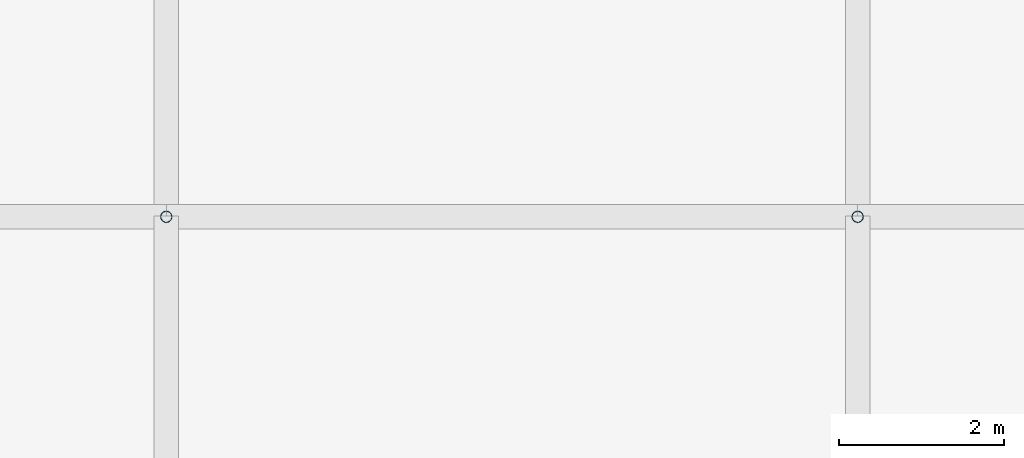
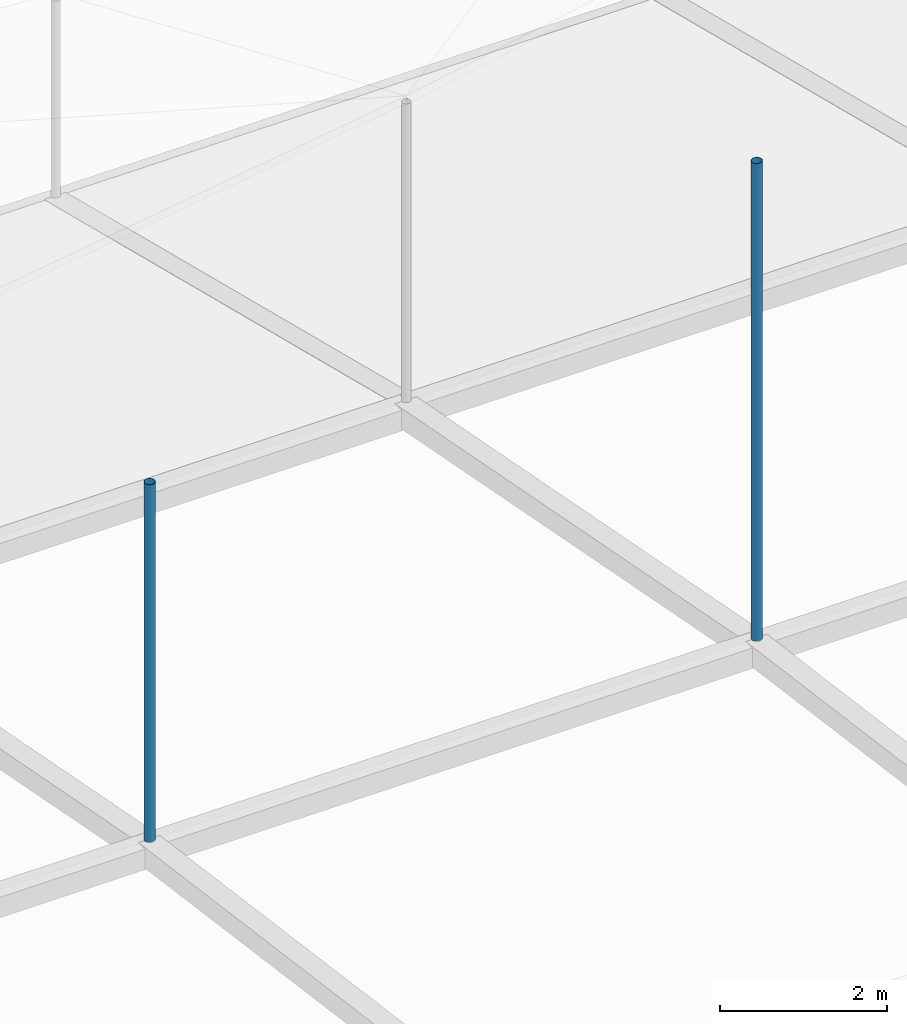
# One storey, part 58 of 111: 2 discrete accessories.
"""IFC4 building model written with IfcOpenShell, lengths in metres."""

from ifc_helpers import new_model, si_unit, direction, frame, origin, origin_2d, place, context, subcontext, project, spatial, hollow_circle, extrude, material, material_profile, profile_set, type_object, element, save


model = new_model("IFC4")

# Units and contexts
model_context = context("Model", 3, precision=1e-05, world=origin(), true_north=direction((0.0, 1.0)))
body_context = subcontext(model_context, "Body", "Model", "MODEL_VIEW")
ifc_project = project(units=[si_unit("LENGTHUNIT", "METRE"), si_unit("AREAUNIT", "SQUARE_METRE"), si_unit("VOLUMEUNIT", "CUBIC_METRE"), si_unit("PLANEANGLEUNIT", "RADIAN"), si_unit("MASSUNIT", "GRAM", prefix="KILO")], contexts=[model_context])

# Site, building, storey
site_placement = place(None, origin())
site = spatial("IfcSite", under=ifc_project, at=site_placement, CompositionType="ELEMENT")
building_placement = place(site_placement, origin())
building = spatial("IfcBuilding", under=site, at=building_placement, Name="Rain Tree Exposition and Congress Centre", CompositionType="ELEMENT")
storey_placement = place(building_placement, frame((0.0, 0.0, 19.5)))
storey = spatial("IfcBuildingStorey", under=building, at=storey_placement, Name="RF", CompositionType="ELEMENT", Elevation=19.5)

# Discrete accessories
ifc_material = material(Name="Steel S355J2H", Category="steel")
ifc_material_profile = material_profile(ifc_material, hollow_circle(Radius=0.06982421875, WallThickness=0.0048828125, at=origin_2d()), Name="CHS 140x5")
ifc_profile_set = profile_set([ifc_material_profile], Name="Steel S355J2H")
discrete_accessory_type = type_object("IfcDiscreteAccessoryType", Name="Roof skin post CHS 140x5", PredefinedType="BRACKET", material=ifc_profile_set)
discrete_accessory_1_placement = place(storey_placement, frame((67.199951171875, 176.39990234375, 4.843017578125), z_axis=(0.0, 0.0, 1.0), x_axis=(1.0, 0.0, 0.0)))
element("IfcDiscreteAccessory", 1, at=discrete_accessory_1_placement, inside=storey, type_object=discrete_accessory_type, Name="Roof skin post A143", PredefinedType="BRACKET", context=body_context, shape_type="SweptSolid", body=[
    extrude(hollow_circle(Radius=0.06982421875, WallThickness=0.0048828125, at=origin_2d()), origin(), (0.0, 0.0, 1.0), 5.236083984375),
])
discrete_accessory_2_placement = place(storey_placement, frame((75.60009765625, 176.39990234375, 4.843017578125), z_axis=(0.0, 0.0, 1.0), x_axis=(1.0, 0.0, 0.0)))
element("IfcDiscreteAccessory", 2, at=discrete_accessory_2_placement, inside=storey, type_object=discrete_accessory_type, Name="Roof skin post A144", PredefinedType="BRACKET", context=body_context, shape_type="SweptSolid", body=[
    extrude(hollow_circle(Radius=0.06982421875, WallThickness=0.0048828125, at=origin_2d()), origin(), (0.0, 0.0, 1.0), 6.98974609375),
])

save(model, "model.ifc")
